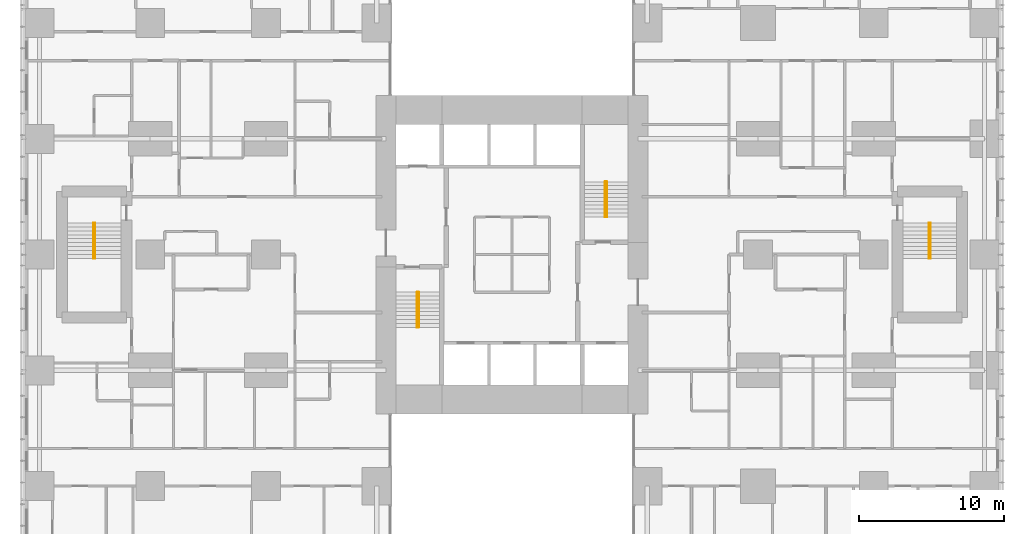
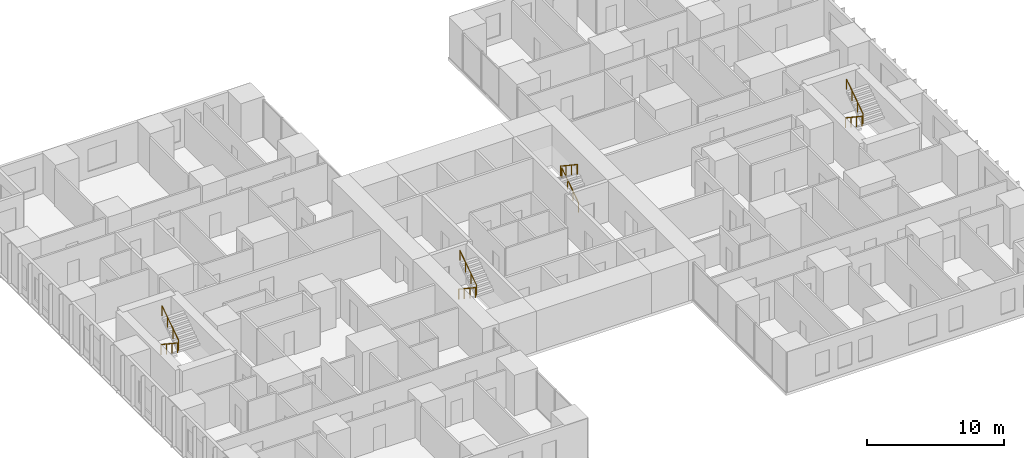
# One storey, part 20 of 20: 8 railings.
"""IFC4 building model written with IfcOpenShell, lengths in metres."""

import ifcopenshell
import ifcopenshell.guid

model = None  # the IFC model being written
_history = None  # IfcOwnerHistory: only IFC2X3 demands one
_inside = {}  # id of a spatial element -> (the spatial element, [elements in it])
_under = {}  # id of a project, library or spatial element -> (it, [spatial elements below it])
_declared = {}  # id of a project -> (the project, [libraries it declares])
_typed = {}  # id of a type object -> (the type object, [elements of that type])
_made_of = {}  # id of a material, layer set ... -> (it, [elements and type objects made of it])


def new_model(schema):
    """Start an empty IFC model of exactly this schema.

    Asked for "IFC4X3", IfcOpenShell would pick the latest addendum, in which some entities
    have other attributes; the version numbers below select the first issue.
    IFC2X3 requires an IfcOwnerHistory on every rooted entity: one is made here for all.
    """
    global model, _history
    if schema == "IFC4X3":
        model = ifcopenshell.file(schema_version=(4, 3, 0, 0))
    else:
        model = ifcopenshell.file(schema=schema)
    _inside.clear()
    _under.clear()
    _declared.clear()
    _typed.clear()
    _made_of.clear()
    _history = None
    if model.schema == "IFC2X3":
        org = make("IfcOrganization", Name="unknown")
        user = make(
            "IfcPersonAndOrganization",
            ThePerson=make("IfcPerson", FamilyName="unknown"),
            TheOrganization=org,
        )
        app = make(
            "IfcApplication",
            ApplicationDeveloper=org,
            Version="unknown",
            ApplicationFullName="unknown",
            ApplicationIdentifier="unknown",
        )
        _history = make(
            "IfcOwnerHistory",
            OwningUser=user,
            OwningApplication=app,
            ChangeAction="ADDED",
            CreationDate=0,
        )
    return model


def make(cls, **values):
    """One entity of the class cls with the attributes given. An attribute that is None is left unset."""
    return model.create_entity(
        cls, **{name: value for name, value in values.items() if value is not None}
    )


def rooted(cls, **values):
    """An entity with a GlobalId (a new one), such as an element, a storey or a relation."""
    return make(cls, GlobalId=ifcopenshell.guid.new(), OwnerHistory=_history, **values)


def si_unit(unit_type, name, prefix=None):
    """IfcSIUnit, for example si_unit("LENGTHUNIT", "METRE", prefix="MILLI")."""
    return make("IfcSIUnit", UnitType=unit_type, Prefix=prefix, Name=name)


def assignment(units):
    """IfcUnitAssignment: the units of a project."""
    return None if units is None else make("IfcUnitAssignment", Units=units)


def point(xyz):
    """IfcCartesianPoint."""
    return None if xyz is None else make("IfcCartesianPoint", Coordinates=xyz)


def direction(xyz):
    """IfcDirection."""
    return None if xyz is None else make("IfcDirection", DirectionRatios=xyz)


def frame(location, z_axis=None, x_axis=None):
    """IfcAxis2Placement3D, a coordinate frame: its origin and axes. An axis left out is left unset."""
    return make(
        "IfcAxis2Placement3D",
        Location=point(location),
        Axis=direction(z_axis),
        RefDirection=direction(x_axis),
    )


def frame_2d(location, x_axis=None):
    """IfcAxis2Placement2D, a coordinate frame in the plane: its origin and x axis."""
    return make(
        "IfcAxis2Placement2D", Location=point(location), RefDirection=direction(x_axis)
    )


def origin():
    """The frame at (0, 0, 0) with its axes left unset."""
    return frame((0.0, 0.0, 0.0))


def origin_2d():
    """The frame at (0, 0) in the plane with its x axis left unset."""
    return frame_2d((0.0, 0.0))


def place(relative_to, where):
    """IfcLocalPlacement: puts the frame where relative to a parent placement (None: the world)."""
    return make(
        "IfcLocalPlacement", PlacementRelTo=relative_to, RelativePlacement=where
    )


def context(
    kind, dimensions, precision=None, world=None, true_north=None, identifier=None
):
    """IfcGeometricRepresentationContext, for example the 3D "Model" context."""
    return make(
        "IfcGeometricRepresentationContext",
        ContextIdentifier=identifier,
        ContextType=kind,
        CoordinateSpaceDimension=dimensions,
        Precision=precision,
        WorldCoordinateSystem=world,
        TrueNorth=true_north,
    )


def subcontext(parent, identifier, kind, view, scale=None):
    """IfcGeometricRepresentationSubContext, for example "Body" below "Model"."""
    return make(
        "IfcGeometricRepresentationSubContext",
        ContextIdentifier=identifier,
        ContextType=kind,
        ParentContext=parent,
        TargetScale=scale,
        TargetView=view,
    )


def project(units=None, contexts=None):
    """IfcProject with its units and contexts."""
    return rooted(
        "IfcProject",
        Name="project",
        RepresentationContexts=contexts,
        UnitsInContext=assignment(units),
    )


def spatial(cls, under=None, at=None, **own):
    """A site, building, storey or space (cls), placed at a placement, below another one or the project."""
    s = rooted(cls, ObjectPlacement=at, **own)
    if under is not None:
        _under.setdefault(under.id(), (under, []))[1].append(s)
    return s


def profile(cls, at=None, kind="AREA", **sizes):
    """A parametric profile (cls). Its sizes go by their IFC names, for example OverallWidth=200.0."""
    return make(cls, ProfileType=kind, Position=at, **sizes)


def circle(**sizes):
    """IfcCircleProfileDef."""
    return profile("IfcCircleProfileDef", **sizes)


def extrude(swept, where, along, depth):
    """IfcExtrudedAreaSolid: the profile swept, set in the frame where, extruded along a direction by depth."""
    return make(
        "IfcExtrudedAreaSolid",
        SweptArea=swept,
        Position=where,
        ExtrudedDirection=direction(along),
        Depth=depth,
    )


def shape(context_of_items, identifier, shape_type, items):
    """IfcShapeRepresentation: the items that make up one representation, for example the "Body"."""
    return make(
        "IfcShapeRepresentation",
        ContextOfItems=context_of_items,
        RepresentationIdentifier=identifier,
        RepresentationType=shape_type,
        Items=items,
    )


def material(Name=None, Category=None):
    """IfcMaterial."""
    return make("IfcMaterial", Name=Name, Category=Category)


def made_of(thing, what):
    """Note that an element or type object is made of a material, layer set ...; save() writes the relation."""
    if what is not None:
        _made_of.setdefault(what.id(), (what, []))[1].append(thing)
    return thing


def type_object(cls, material=None, **own):
    """A type object (cls), such as IfcWallType, which elements share."""
    return made_of(rooted(cls, **own), material)


def element(
    cls,
    number,
    at=None,
    inside=None,
    cuts=None,
    type_object=None,
    material=None,
    context=None,
    identifier="Body",
    shape_type=None,
    held_by="IfcProductDefinitionShape",
    body=None,
    shapes=None,
    **own,
):
    """One element of the class cls, such as IfcWall. Its Tag is "e" and its number.

    at: its placement. inside: the storey or other place that contains it. cuts: it is an
    opening in that element (IfcRelVoidsElement). A single representation is given by context,
    identifier, shape_type and body (its items); several are given by shapes. held_by: the class
    of the entity that holds the representations. save() writes the other relations.
    """
    e = rooted(cls, Tag="e%d" % number, ObjectPlacement=at, **own)
    if body is not None:
        shapes = [shape(context, identifier, shape_type, body)]
    if shapes is not None:
        e.Representation = make(held_by, Representations=shapes)
    if inside is not None:
        _inside.setdefault(inside.id(), (inside, []))[1].append(e)
    if cuts is not None:
        rooted(
            "IfcRelVoidsElement", RelatingBuildingElement=cuts, RelatedOpeningElement=e
        )
    if type_object is not None:
        _typed.setdefault(type_object.id(), (type_object, []))[1].append(e)
    return made_of(e, material)


def aggregate(whole, parts):
    """IfcRelAggregates: a whole, such as a stair, and the parts it consists of."""
    return rooted("IfcRelAggregates", RelatingObject=whole, RelatedObjects=parts)


def save(model, path):
    """Write the relations noted so far, then the file.

    IfcRelAggregates (storeys below a building ...), IfcRelContainedInSpatialStructure (elements
    in a storey), IfcRelDefinesByType, IfcRelAssociatesMaterial and IfcRelDeclares: one each for
    every whole, place, type object, material and project.
    """
    for whole, parts in _under.values():
        aggregate(whole, parts)
    for where, things in _inside.values():
        rooted(
            "IfcRelContainedInSpatialStructure",
            RelatedElements=things,
            RelatingStructure=where,
        )
    for kind, things in _typed.values():
        rooted("IfcRelDefinesByType", RelatedObjects=things, RelatingType=kind)
    for what, things in _made_of.values():
        rooted("IfcRelAssociatesMaterial", RelatedObjects=things, RelatingMaterial=what)
    for by, libraries in _declared.values():
        rooted("IfcRelDeclares", RelatingContext=by, RelatedDefinitions=libraries)
    model.write(path)


model = new_model("IFC4")

# Units and contexts
model_context = context("Model", 3, precision=1e-05, world=origin(), true_north=direction((0.0, 1.0)))
body_context = subcontext(model_context, "Body", "Model", "MODEL_VIEW")
ifc_project = project(units=[si_unit("LENGTHUNIT", "METRE"), si_unit("AREAUNIT", "SQUARE_METRE"), si_unit("VOLUMEUNIT", "CUBIC_METRE"), si_unit("PLANEANGLEUNIT", "RADIAN"), si_unit("MASSUNIT", "GRAM", prefix="KILO")], contexts=[model_context])

# Site, building, storey
site_placement = place(None, origin())
site = spatial("IfcSite", under=ifc_project, at=site_placement, CompositionType="ELEMENT")
building_placement = place(site_placement, origin())
building = spatial("IfcBuilding", under=site, at=building_placement, Name="Cleftline Residences", CompositionType="ELEMENT")
storey_placement = place(building_placement, frame((0.0, 0.0, 80.0)))
storey = spatial("IfcBuildingStorey", under=building, at=storey_placement, Name="L20", CompositionType="ELEMENT", Elevation=80.0)

# Railings
ifc_material = material(Name="Stainless steel", Category="steel")
railing_type = type_object("IfcRailingType", Name="HANDRAIL 900", PredefinedType="HANDRAIL", material=ifc_material)
railing_1_placement = place(storey_placement, frame((26.449951171875, 21.39990234375, 0.179931640625)))
element("IfcRailing", 1, at=railing_1_placement, inside=storey, type_object=railing_type, Name="Stair handrail", PredefinedType="HANDRAIL", context=body_context, shape_type="SweptSolid", body=[
    extrude(circle(Radius=0.02392578125, at=origin_2d()), frame((0.0, 0.0, 0.8759765625), z_axis=(0.0, -0.832024571796, 0.554738778101), x_axis=(1.0, 0.0, 0.0)), (0.0, 0.0, 1.0), 2.92041015625),
    extrude(circle(Radius=0.02099609375, at=origin_2d()), origin(), (0.0, 0.0, 1.0), 0.851806640625),
    extrude(circle(Radius=0.02099609375, at=origin_2d()), frame((0.0, -0.81005859375, 0.5400390625)), (0.0, 0.0, 1.0), 0.851806640625),
    extrude(circle(Radius=0.02099609375, at=origin_2d()), frame((0.0, -1.619873046875, 1.080078125)), (0.0, 0.0, 1.0), 0.851806640625),
    extrude(circle(Radius=0.02099609375, at=origin_2d()), frame((0.0, -2.429931640625, 1.6201171875)), (0.0, 0.0, 1.0), 0.851806640625),
])
for number, where, name in (
    (2, (26.550048828125, 18.969970703125, 1.97998046875), "Stair handrail"),
    (3, (39.550048828125, 26.60009765625, 0.179931640625), "Stair handrail"),
):
    element("IfcRailing", number, at=place(storey_placement, frame(where)), inside=storey, type_object=railing_type, Name=name, PredefinedType="HANDRAIL", context=body_context, shape_type="SweptSolid", body=[
        extrude(circle(Radius=0.02392578125, at=origin_2d()), frame((0.0, 0.0, 0.8759765625), z_axis=(0.0, 0.832024571796, 0.554738778101), x_axis=(-1.0, 0.0, 0.0)), (0.0, 0.0, 1.0), 2.92041015625),
        extrude(circle(Radius=0.02099609375, at=origin_2d()), origin(), (0.0, 0.0, 1.0), 0.851806640625),
        extrude(circle(Radius=0.02099609375, at=origin_2d()), frame((0.0, 0.81005859375, 0.5400390625)), (0.0, 0.0, 1.0), 0.851806640625),
        extrude(circle(Radius=0.02099609375, at=origin_2d()), frame((0.0, 1.619873046875, 1.080078125)), (0.0, 0.0, 1.0), 0.851806640625),
        extrude(circle(Radius=0.02099609375, at=origin_2d()), frame((0.0, 2.429931640625, 1.6201171875)), (0.0, 0.0, 1.0), 0.851806640625),
    ])
for number, where, name in (
    (4, (39.449951171875, 29.030029296875, 1.97998046875), "Stair handrail"),
    (5, (61.824951171875, 26.175048828125, 0.179931640625), "Stair handrail"),
):
    element("IfcRailing", number, at=place(storey_placement, frame(where)), inside=storey, type_object=railing_type, Name=name, PredefinedType="HANDRAIL", context=body_context, shape_type="SweptSolid", body=[
        extrude(circle(Radius=0.02392578125, at=origin_2d()), frame((0.0, 0.0, 0.8759765625), z_axis=(0.0, -0.832024571796, 0.554738778101), x_axis=(1.0, 0.0, 0.0)), (0.0, 0.0, 1.0), 2.92041015625),
        extrude(circle(Radius=0.02099609375, at=origin_2d()), origin(), (0.0, 0.0, 1.0), 0.851806640625),
        extrude(circle(Radius=0.02099609375, at=origin_2d()), frame((0.0, -0.81005859375, 0.5400390625)), (0.0, 0.0, 1.0), 0.851806640625),
        extrude(circle(Radius=0.02099609375, at=origin_2d()), frame((0.0, -1.619873046875, 1.080078125)), (0.0, 0.0, 1.0), 0.851806640625),
        extrude(circle(Radius=0.02099609375, at=origin_2d()), frame((0.0, -2.429931640625, 1.6201171875)), (0.0, 0.0, 1.0), 0.851806640625),
    ])
railing_2_placement = place(storey_placement, frame((61.925048828125, 23.7451171875, 1.97998046875)))
element("IfcRailing", 6, at=railing_2_placement, inside=storey, type_object=railing_type, Name="Stair handrail", PredefinedType="HANDRAIL", context=body_context, shape_type="SweptSolid", body=[
    extrude(circle(Radius=0.02392578125, at=origin_2d()), frame((0.0, 0.0, 0.8759765625), z_axis=(0.0, 0.832024571796, 0.554738778101), x_axis=(-1.0, 0.0, 0.0)), (0.0, 0.0, 1.0), 2.92041015625),
    extrude(circle(Radius=0.02099609375, at=origin_2d()), origin(), (0.0, 0.0, 1.0), 0.851806640625),
    extrude(circle(Radius=0.02099609375, at=origin_2d()), frame((0.0, 0.81005859375, 0.5400390625)), (0.0, 0.0, 1.0), 0.851806640625),
    extrude(circle(Radius=0.02099609375, at=origin_2d()), frame((0.0, 1.619873046875, 1.080078125)), (0.0, 0.0, 1.0), 0.851806640625),
    extrude(circle(Radius=0.02099609375, at=origin_2d()), frame((0.0, 2.429931640625, 1.6201171875)), (0.0, 0.0, 1.0), 0.851806640625),
])
railing_3_placement = place(storey_placement, frame((4.074951171875, 26.175048828125, 0.179931640625)))
element("IfcRailing", 7, at=railing_3_placement, inside=storey, type_object=railing_type, Name="Stair handrail", PredefinedType="HANDRAIL", context=body_context, shape_type="SweptSolid", body=[
    extrude(circle(Radius=0.02392578125, at=origin_2d()), frame((0.0, 0.0, 0.8759765625), z_axis=(0.0, -0.832024571796, 0.554738778101), x_axis=(1.0, 0.0, 0.0)), (0.0, 0.0, 1.0), 2.92041015625),
    extrude(circle(Radius=0.02099609375, at=origin_2d()), origin(), (0.0, 0.0, 1.0), 0.851806640625),
    extrude(circle(Radius=0.02099609375, at=origin_2d()), frame((0.0, -0.81005859375, 0.5400390625)), (0.0, 0.0, 1.0), 0.851806640625),
    extrude(circle(Radius=0.02099609375, at=origin_2d()), frame((0.0, -1.619873046875, 1.080078125)), (0.0, 0.0, 1.0), 0.851806640625),
    extrude(circle(Radius=0.02099609375, at=origin_2d()), frame((0.0, -2.429931640625, 1.6201171875)), (0.0, 0.0, 1.0), 0.851806640625),
])
railing_4_placement = place(storey_placement, frame((4.175048828125, 23.7451171875, 1.97998046875)))
element("IfcRailing", 8, at=railing_4_placement, inside=storey, type_object=railing_type, Name="Stair handrail", PredefinedType="HANDRAIL", context=body_context, shape_type="SweptSolid", body=[
    extrude(circle(Radius=0.02392578125, at=origin_2d()), frame((0.0, 0.0, 0.8759765625), z_axis=(0.0, 0.832024571796, 0.554738778101), x_axis=(-1.0, 0.0, 0.0)), (0.0, 0.0, 1.0), 2.92041015625),
    extrude(circle(Radius=0.02099609375, at=origin_2d()), origin(), (0.0, 0.0, 1.0), 0.851806640625),
    extrude(circle(Radius=0.02099609375, at=origin_2d()), frame((0.0, 0.81005859375, 0.5400390625)), (0.0, 0.0, 1.0), 0.851806640625),
    extrude(circle(Radius=0.02099609375, at=origin_2d()), frame((0.0, 1.619873046875, 1.080078125)), (0.0, 0.0, 1.0), 0.851806640625),
    extrude(circle(Radius=0.02099609375, at=origin_2d()), frame((0.0, 2.429931640625, 1.6201171875)), (0.0, 0.0, 1.0), 0.851806640625),
])

save(model, "model.ifc")
